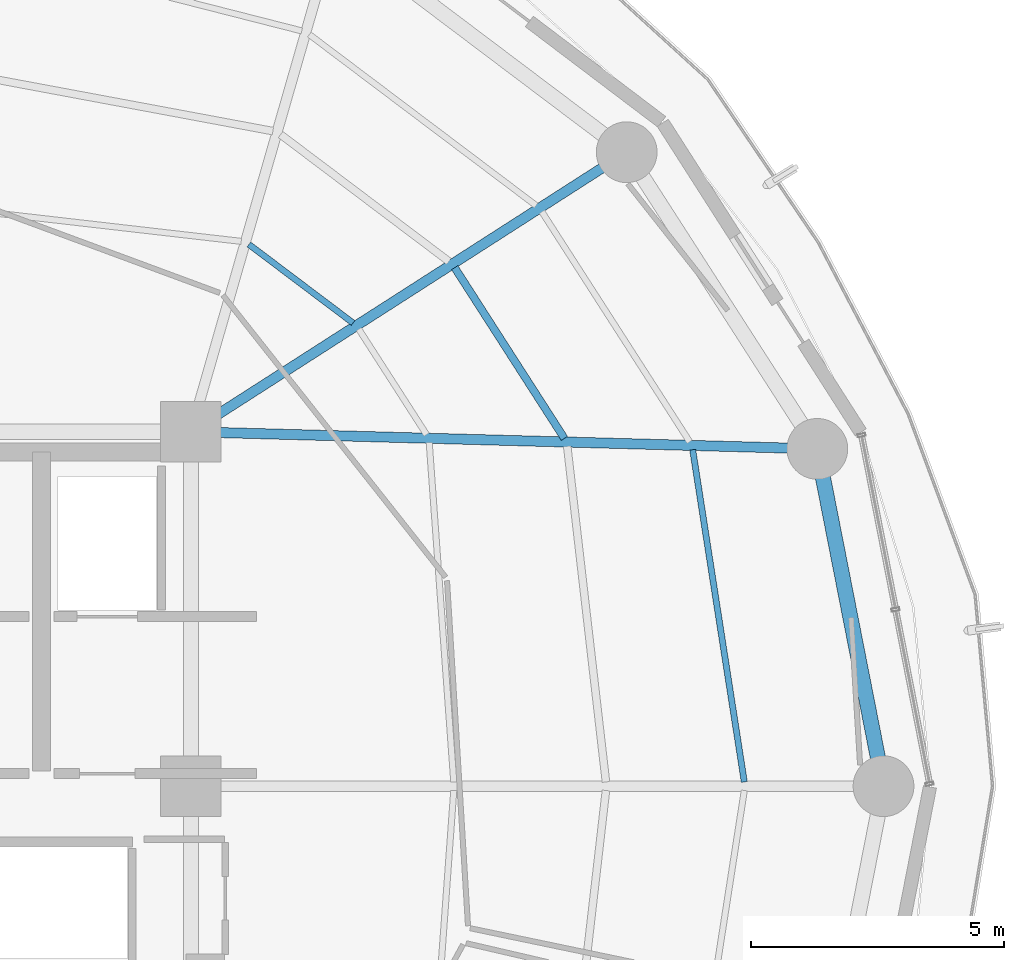
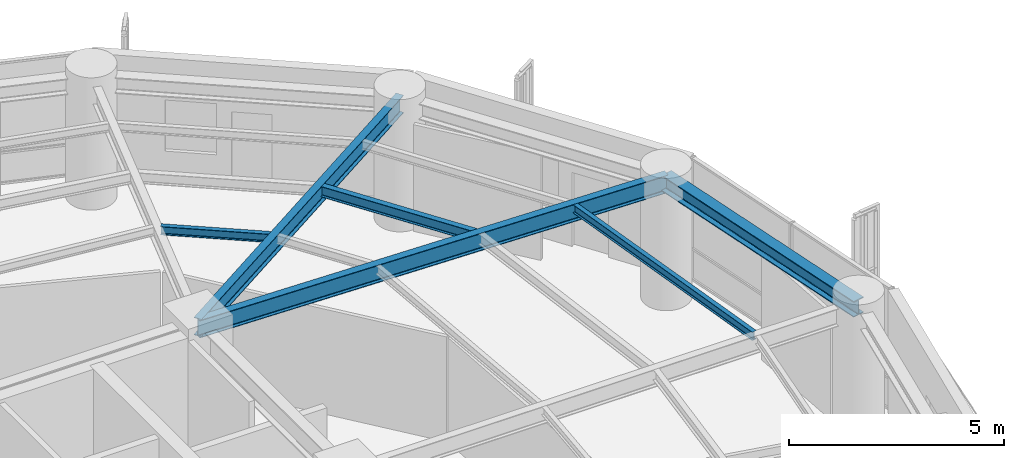
# One storey, part 14 of 27: 6 beams.
"""IFC4 building model written with IfcOpenShell, lengths in metres."""

from ifc_helpers import new_model, si_unit, direction, frame, origin, origin_2d, place, context, subcontext, project, spatial, i_section, extrude, material, material_profile, profile_set, type_object, element, save


model = new_model("IFC4")

# Units and contexts
model_context = context("Model", 3, precision=1e-05, world=origin(), true_north=direction((0.0, 1.0)))
body_context = subcontext(model_context, "Body", "Model", "MODEL_VIEW")
ifc_project = project(units=[si_unit("LENGTHUNIT", "METRE"), si_unit("AREAUNIT", "SQUARE_METRE"), si_unit("VOLUMEUNIT", "CUBIC_METRE"), si_unit("PLANEANGLEUNIT", "RADIAN"), si_unit("MASSUNIT", "GRAM", prefix="KILO")], contexts=[model_context])

# Site, building, storey
site_placement = place(None, origin())
site = spatial("IfcSite", under=ifc_project, at=site_placement, CompositionType="ELEMENT")
building_placement = place(site_placement, origin())
building = spatial("IfcBuilding", under=site, at=building_placement, Name="Kelanora Arch Commons", CompositionType="ELEMENT")
storey_placement = place(building_placement, frame((0.0, 0.0, 150.60009765625)))
storey = spatial("IfcBuildingStorey", under=building, at=storey_placement, Name="L38", CompositionType="ELEMENT", Elevation=150.60009765625)

# Beams
ifc_material = material(Name="Steel S355", Category="steel")
ifc_material_profile_1 = material_profile(ifc_material, i_section(OverallWidth=0.14990234375, OverallDepth=0.300048828125, WebThickness=0.007080078125, FlangeThickness=0.0107421875, FilletRadius=0.014892578125, at=origin_2d()), Name="IPE300")
ifc_profile_set_1 = profile_set([ifc_material_profile_1], Name="Steel S355")
beam_type_1 = type_object("IfcBeamType", Name="BM-JST-01", PredefinedType="JOIST", material=ifc_profile_set_1)
beam_1_placement = place(storey_placement, frame((89.377685546875, 64.869140625, 3.33984375), z_axis=(-0.540594434398, 0.841283339606, 0.0), x_axis=(-0.841283339606, -0.540594434398, 0.0)))
element("IfcBeam", 1, at=beam_1_placement, inside=storey, type_object=beam_type_1, Name="Secondary Chord Joist BJB-02 L38", PredefinedType="JOIST", context=body_context, shape_type="SweptSolid", body=[
    extrude(i_section(OverallWidth=0.14990234375, OverallDepth=0.300048828125, WebThickness=0.007080078125, FlangeThickness=0.0107421875, FilletRadius=0.014892578125, at=origin_2d()), origin(), (0.0, 0.0, 1.0), 4.008544921875),
])
ifc_material_profile_2 = material_profile(ifc_material, i_section(OverallWidth=0.1201171875, OverallDepth=0.239990234375, WebThickness=0.006103515625, FlangeThickness=0.009765625, FilletRadius=0.014892578125, at=origin_2d()), Name="IPE240")
ifc_profile_set_2 = profile_set([ifc_material_profile_2], Name="Steel S355")
beam_type_2 = type_object("IfcBeamType", Name="BM-JST-02", PredefinedType="JOIST", material=ifc_profile_set_2)
beam_2_placement = place(storey_placement, frame((92.930908203125, 58.083984375, 3.369873046875), z_axis=(-0.153562625853, 0.988138917329, 0.0), x_axis=(-0.988138917329, -0.153562625853, 0.0)))
element("IfcBeam", 2, at=beam_2_placement, inside=storey, type_object=beam_type_2, Name="Secondary Chord Joist BJC-00 L38", PredefinedType="JOIST", context=body_context, shape_type="SweptSolid", body=[
    extrude(i_section(OverallWidth=0.1201171875, OverallDepth=0.239990234375, WebThickness=0.006103515625, FlangeThickness=0.009765625, FilletRadius=0.014892578125, at=origin_2d()), origin(), (0.0, 0.0, 1.0), 6.640869140625),
])
beam_3_placement = place(storey_placement, frame((85.203125, 67.1494140625, 3.369873046875), z_axis=(-0.798484118859, 0.602015873487, 0.0), x_axis=(-0.602015873487, -0.798484118859, 0.0)))
element("IfcBeam", 3, at=beam_3_placement, inside=storey, type_object=beam_type_2, Name="Secondary Chord Joist BJA-04 L38", PredefinedType="JOIST", context=body_context, shape_type="SweptSolid", body=[
    extrude(i_section(OverallWidth=0.1201171875, OverallDepth=0.239990234375, WebThickness=0.006103515625, FlangeThickness=0.009765625, FilletRadius=0.014892578125, at=origin_2d()), origin(), (0.0, 0.0, 1.0), 2.57470703125),
])
ifc_material_profile_3 = material_profile(ifc_material, i_section(OverallWidth=0.199951171875, OverallDepth=0.5, WebThickness=0.01025390625, FlangeThickness=0.01611328125, FilletRadius=0.02099609375, at=origin_2d()), Name="IPE500")
ifc_profile_set_3 = profile_set([ifc_material_profile_3], Name="Steel S355")
beam_type_3 = type_object("IfcBeamType", Name="BM-RAD-Z3", PredefinedType="BEAM", material=ifc_profile_set_3)
beam_4_placement = place(storey_placement, frame((82.0, 65.0, 3.239990234375), z_axis=(0.999628374924, -0.027260081577, 0.0), x_axis=(0.027260081577, 0.999628374924, 0.0)))
element("IfcBeam", 4, at=beam_4_placement, inside=storey, type_object=beam_type_3, Name="Radial Floor Girder BR-02 L38", PredefinedType="BEAM", context=body_context, shape_type="SweptSolid", body=[
    extrude(i_section(OverallWidth=0.199951171875, OverallDepth=0.5, WebThickness=0.01025390625, FlangeThickness=0.01611328125, FilletRadius=0.02099609375, at=origin_2d()), origin(), (0.0, 0.0, 1.0), 12.377197265625),
])
beam_5_placement = place(storey_placement, frame((82.0, 65.0, 3.239990234375), z_axis=(0.841719465748, 0.539915123868, 0.0), x_axis=(-0.539915123868, 0.841719465748, 0.0)))
element("IfcBeam", 5, at=beam_5_placement, inside=storey, type_object=beam_type_3, Name="Radial Floor Girder BR-04 L38", PredefinedType="BEAM", context=body_context, shape_type="SweptSolid", body=[
    extrude(i_section(OverallWidth=0.199951171875, OverallDepth=0.5, WebThickness=0.01025390625, FlangeThickness=0.01611328125, FilletRadius=0.02099609375, at=origin_2d()), origin(), (0.0, 0.0, 1.0), 10.2265625),
])
ifc_material_profile_4 = material_profile(ifc_material, i_section(OverallWidth=0.300048828125, OverallDepth=0.449951171875, WebThickness=0.013916015625, FlangeThickness=0.02587890625, FilletRadius=0.027099609375, at=origin_2d()), Name="HEB450")
ifc_profile_set_4 = profile_set([ifc_material_profile_4], Name="Steel S355")
beam_type_4 = type_object("IfcBeamType", Name="BM-SPN-Z3", PredefinedType="SPANDREL", material=ifc_profile_set_4)
beam_6_placement = place(storey_placement, frame((95.679931640625, 58.0, 3.264892578125), z_axis=(-0.192553643556, 0.981286448675, 0.0), x_axis=(-0.981286448675, -0.192553643556, 0.0)))
element("IfcBeam", 6, at=beam_6_placement, inside=storey, type_object=beam_type_4, Name="Perimeter Spandrel Beam BS-00 L38", PredefinedType="SPANDREL", context=body_context, shape_type="SweptSolid", body=[
    extrude(i_section(OverallWidth=0.300048828125, OverallDepth=0.449951171875, WebThickness=0.013916015625, FlangeThickness=0.02587890625, FilletRadius=0.027099609375, at=origin_2d()), origin(), (0.0, 0.0, 1.0), 6.78955078125),
])

save(model, "model.ifc")
